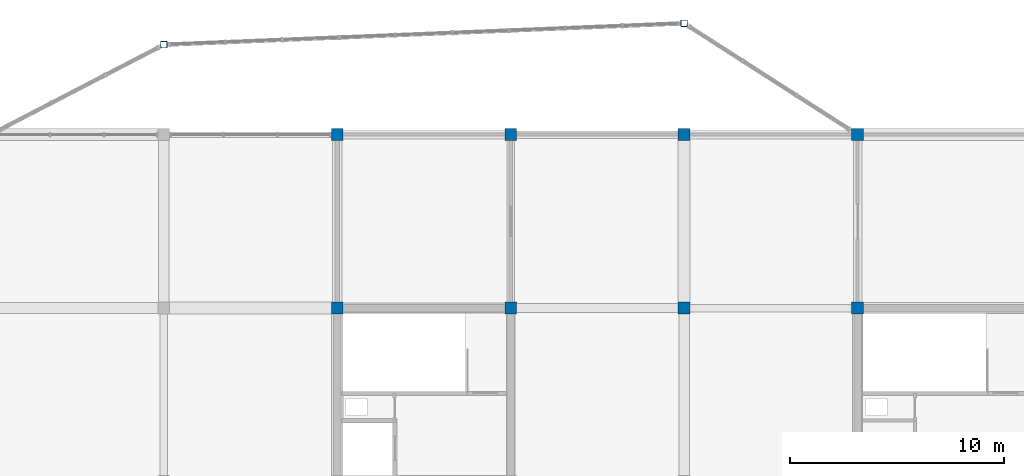
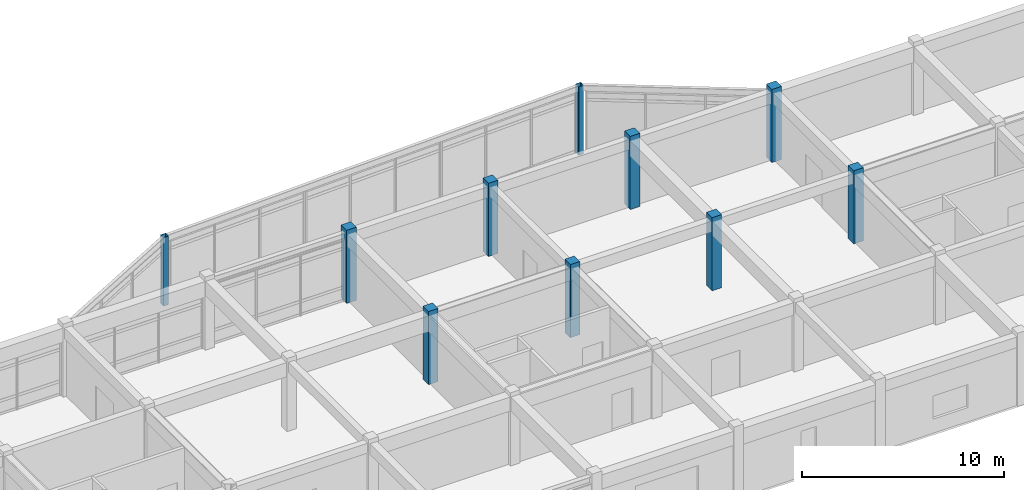
# One storey, part 2 of 40: 10 columns.
"""IFC4 building model written with IfcOpenShell, lengths in metres."""

from ifc_helpers import new_model, si_unit, direction, frame, origin, origin_2d, place, context, subcontext, project, spatial, rectangle, hollow_rectangle, extrude, material, material_profile, profile_set, type_object, element, save


model = new_model("IFC4")

# Units and contexts
model_context = context("Model", 3, precision=1e-05, world=origin(), true_north=direction((0.0, 1.0)))
body_context = subcontext(model_context, "Body", "Model", "MODEL_VIEW")
ifc_project = project(units=[si_unit("LENGTHUNIT", "METRE"), si_unit("AREAUNIT", "SQUARE_METRE"), si_unit("VOLUMEUNIT", "CUBIC_METRE"), si_unit("PLANEANGLEUNIT", "RADIAN"), si_unit("MASSUNIT", "GRAM", prefix="KILO")], contexts=[model_context])

# Site, building, storey
site_placement = place(None, origin())
site = spatial("IfcSite", under=ifc_project, at=site_placement, CompositionType="ELEMENT")
building_placement = place(site_placement, origin())
building = spatial("IfcBuilding", under=site, at=building_placement, Name="Vaudrelin Polytechnic", CompositionType="ELEMENT")
storey_placement = place(building_placement, frame((0.0, 0.0, 22.949951171875)))
storey = spatial("IfcBuildingStorey", under=building, at=storey_placement, Name="L05", CompositionType="ELEMENT", Elevation=22.949951171875)

# Columns
ifc_material_1 = material(Name="Steel CSA G40.21 350WT", Category="steel")
ifc_material_profile_1 = material_profile(ifc_material_1, hollow_rectangle(XDim=0.304931640625, YDim=0.304931640625, WallThickness=0.0126953125, InnerFilletRadius=0.0126953125, OuterFilletRadius=0.025390625, at=origin_2d()), Name="HSS305x305x12.7")
ifc_profile_set_1 = profile_set([ifc_material_profile_1], Name="Steel CSA G40.21 350WT")
column_type_1 = type_object("IfcColumnType", Name="COL-C-HSS305", PredefinedType="COLUMN", material=ifc_profile_set_1)
for number, where, z_axis, x_axis, name in (
    (1, (72.89990234375, 125.699951171875, 0.0), (0.0, 0.0, 1.0), (1.0, 0.0, 0.0), "Deconstructivist column L05 N_OR2_1"),
    (2, (97.199951171875, 126.699951171875, 0.0), (0.0, 0.0, 1.0), (1.0, 0.0, 0.0), "Deconstructivist column L05 N_OR2_2"),
):
    element("IfcColumn", number, at=place(storey_placement, frame(where, z_axis=z_axis, x_axis=x_axis)), inside=storey, type_object=column_type_1, Name=name, PredefinedType="COLUMN", context=body_context, shape_type="SweptSolid", body=[
        extrude(hollow_rectangle(XDim=0.304931640625, YDim=0.304931640625, WallThickness=0.0126953125, InnerFilletRadius=0.0126953125, OuterFilletRadius=0.025390625, at=origin_2d()), origin(), (0.0, 0.0, 1.0), 4.14013671875),
    ])
ifc_material_2 = material(Name="Concrete 40 MPa", Category="concrete")
ifc_material_profile_2 = material_profile(ifc_material_2, rectangle(XDim=0.550048828125, YDim=0.550048828125, at=origin_2d()), Name="RC550x550")
ifc_profile_set_2 = profile_set([ifc_material_profile_2], Name="Concrete 40 MPa")
column_type_2 = type_object("IfcColumnType", Name="COL-C-RC550", PredefinedType="COLUMN", material=ifc_profile_set_2)
for number, where, z_axis, x_axis, name in (
    (3, (81.0, 113.39990234375, 0.0), (0.0, 0.0, 1.0), (1.0, 0.0, 0.0), "Column L05 11-15"),
    (4, (81.0, 121.5, 0.0), (0.0, 0.0, 1.0), (1.0, 0.0, 0.0), "Column L05 11-16"),
    (5, (89.10009765625, 113.39990234375, 0.0), (0.0, 0.0, 1.0), (1.0, 0.0, 0.0), "Column L05 12-15"),
    (6, (89.10009765625, 121.5, 0.0), (0.0, 0.0, 1.0), (1.0, 0.0, 0.0), "Column L05 12-16"),
    (7, (97.199951171875, 113.39990234375, 0.0), (0.0, 0.0, 1.0), (1.0, 0.0, 0.0), "Column L05 13-15"),
    (8, (97.199951171875, 121.5, 0.0), (0.0, 0.0, 1.0), (1.0, 0.0, 0.0), "Column L05 13-16"),
    (9, (105.300048828125, 113.39990234375, 0.0), (0.0, 0.0, 1.0), (1.0, 0.0, 0.0), "Column L05 14-15"),
    (10, (105.300048828125, 121.5, 0.0), (0.0, 0.0, 1.0), (1.0, 0.0, 0.0), "Column L05 14-16"),
):
    element("IfcColumn", number, at=place(storey_placement, frame(where, z_axis=z_axis, x_axis=x_axis)), inside=storey, type_object=column_type_2, Name=name, PredefinedType="COLUMN", context=body_context, shape_type="SweptSolid", body=[
        extrude(rectangle(XDim=0.550048828125, YDim=0.550048828125, at=origin_2d()), origin(), (0.0, 0.0, 1.0), 4.420166015625),
    ])

save(model, "model.ifc")
